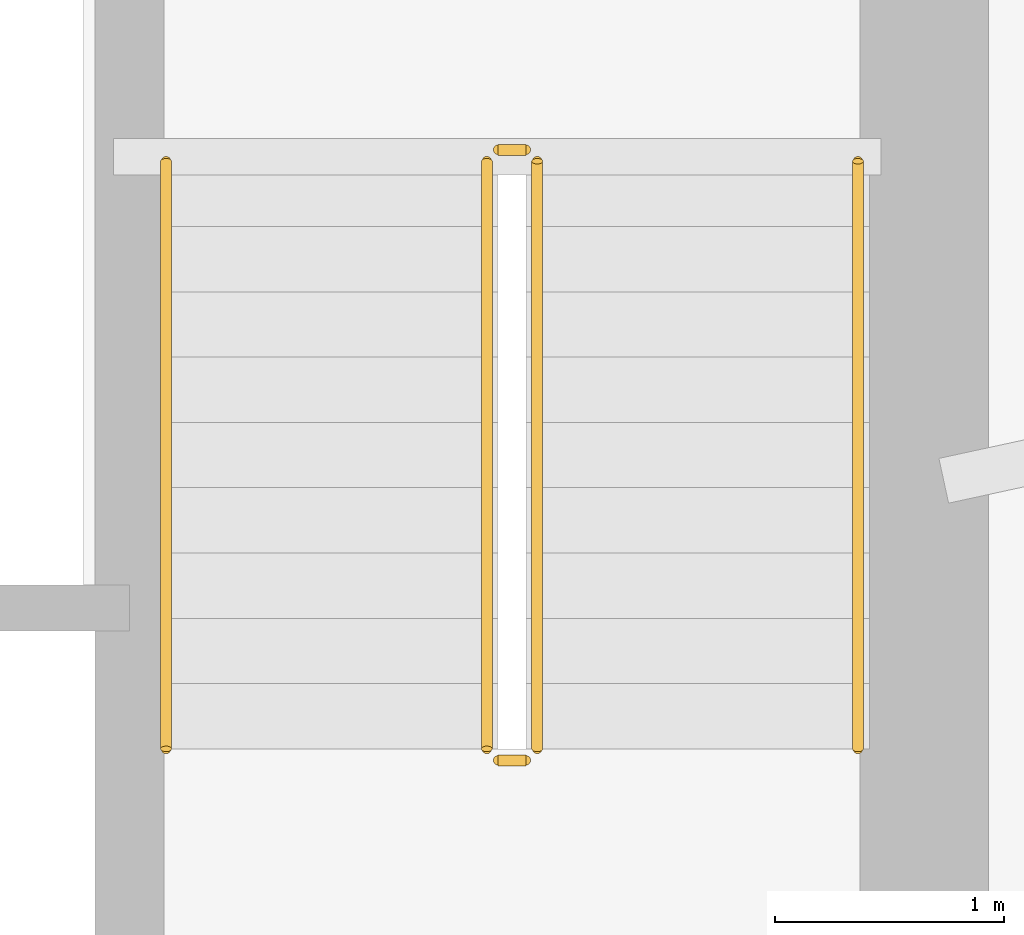
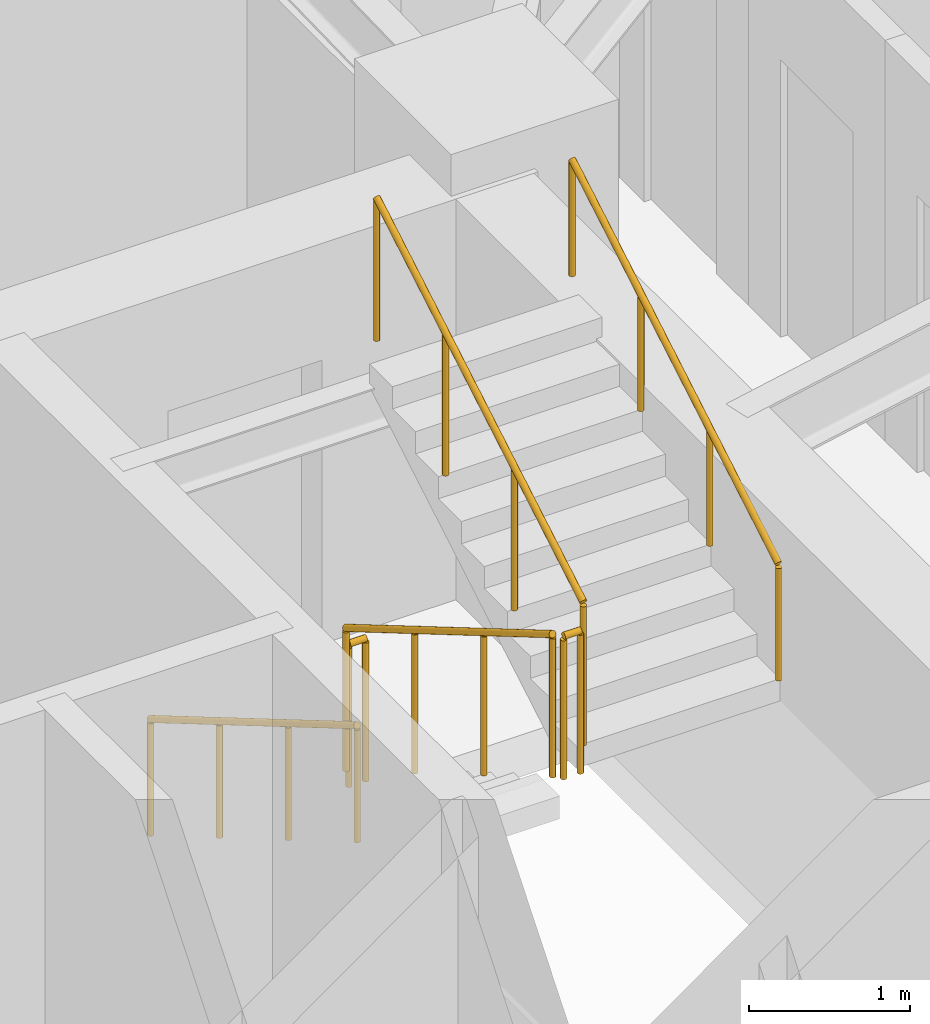
# One storey, part 21 of 22: 6 railings.
"""IFC4 building model written with IfcOpenShell, lengths in metres."""

from ifc_helpers import new_model, si_unit, direction, frame, origin, origin_2d, place, context, subcontext, project, spatial, circle, extrude, material, type_object, element, save


model = new_model("IFC4")

# Units and contexts
model_context = context("Model", 3, precision=1e-05, world=origin(), true_north=direction((0.0, 1.0)))
body_context = subcontext(model_context, "Body", "Model", "MODEL_VIEW")
ifc_project = project(units=[si_unit("LENGTHUNIT", "METRE"), si_unit("AREAUNIT", "SQUARE_METRE"), si_unit("VOLUMEUNIT", "CUBIC_METRE"), si_unit("PLANEANGLEUNIT", "RADIAN"), si_unit("MASSUNIT", "GRAM", prefix="KILO")], contexts=[model_context])

# Site, building, storey
site_placement = place(None, origin())
site = spatial("IfcSite", under=ifc_project, at=site_placement, CompositionType="ELEMENT")
building_placement = place(site_placement, origin())
building = spatial("IfcBuilding", under=site, at=building_placement, Name="Qobustan Lattice House", CompositionType="ELEMENT")
storey_placement = place(building_placement, frame((0.0, 0.0, 60.5)))
storey = spatial("IfcBuildingStorey", under=building, at=storey_placement, Name="L16", CompositionType="ELEMENT", Elevation=60.5)

# Railings
ifc_material_1 = material(Name="Brushed stainless steel handrail", Category="steel")
railing_type_1 = type_object("IfcRailingType", Name="RAL-HR-920", PredefinedType="HANDRAIL", material=ifc_material_1)
railing_1_placement = place(storey_placement, frame((15.179931640625, 3.5, 0.16748046875)))
element("IfcRailing", 1, at=railing_1_placement, inside=storey, type_object=railing_type_1, Name="L16 ST-E1 stair handrail 1", PredefinedType="HANDRAIL", context=body_context, shape_type="SweptSolid", body=[
    extrude(circle(Radius=0.02392578125, at=origin_2d()), frame((0.0, 0.0, 0.8759765625), z_axis=(0.0, -0.862113467892, 0.50671527358), x_axis=(1.0, 0.0, 0.0)), (0.0, 0.0, 1.0), 2.97509765625),
    extrude(circle(Radius=0.02099609375, at=origin_2d()), origin(), (0.0, 0.0, 1.0), 0.851806640625),
    extrude(circle(Radius=0.02099609375, at=origin_2d()), frame((0.0, -0.85498046875, 0.50244140625)), (0.0, 0.0, 1.0), 0.851806640625),
    extrude(circle(Radius=0.02099609375, at=origin_2d()), frame((0.0, -1.7099609375, 1.005126953125)), (0.0, 0.0, 1.0), 0.851806640625),
    extrude(circle(Radius=0.02099609375, at=origin_2d()), frame((0.0, -2.56494140625, 1.507568359375)), (0.0, 0.0, 1.0), 0.851806640625),
])
railing_2_placement = place(storey_placement, frame((18.199951171875, 0.93505859375, 1.842529296875)))
element("IfcRailing", 2, at=railing_2_placement, inside=storey, type_object=railing_type_1, Name="L16 ST-E1 stair handrail 2", PredefinedType="HANDRAIL", context=body_context, shape_type="SweptSolid", body=[
    extrude(circle(Radius=0.02392578125, at=origin_2d()), frame((0.0, 0.0, 0.8759765625), z_axis=(0.0, 0.862113467892, 0.50671527358), x_axis=(-1.0, 0.0, 0.0)), (0.0, 0.0, 1.0), 2.97509765625),
    extrude(circle(Radius=0.02099609375, at=origin_2d()), origin(), (0.0, 0.0, 1.0), 0.851806640625),
    extrude(circle(Radius=0.02099609375, at=origin_2d()), frame((0.0, 0.85498046875, 0.50244140625)), (0.0, 0.0, 1.0), 0.851806640625),
    extrude(circle(Radius=0.02099609375, at=origin_2d()), frame((0.0, 1.7099609375, 1.005126953125)), (0.0, 0.0, 1.0), 0.851806640625),
    extrude(circle(Radius=0.02099609375, at=origin_2d()), frame((0.0, 2.56494140625, 1.507568359375)), (0.0, 0.0, 1.0), 0.851806640625),
])
ifc_material_2 = material(Name="Painted galvanized steel guardrail", Category="steel")
railing_type_2 = type_object("IfcRailingType", Name="RAL-STG-1150", PredefinedType="GUARDRAIL", material=ifc_material_2)
railing_3_placement = place(storey_placement, frame((16.580078125, 3.5, 0.16748046875)))
element("IfcRailing", 3, at=railing_3_placement, inside=storey, type_object=railing_type_2, Name="L16 ST-E1 stair guard 1", PredefinedType="GUARDRAIL", context=body_context, shape_type="SweptSolid", body=[
    extrude(circle(Radius=0.02392578125, at=origin_2d()), frame((0.0, 0.0, 1.076171875), z_axis=(0.0, -0.862113467892, 0.50671527358), x_axis=(1.0, 0.0, 0.0)), (0.0, 0.0, 1.0), 2.97509765625),
    extrude(circle(Radius=0.02099609375, at=origin_2d()), origin(), (0.0, 0.0, 1.0), 1.052001953125),
    extrude(circle(Radius=0.02099609375, at=origin_2d()), frame((0.0, -0.85498046875, 0.50244140625)), (0.0, 0.0, 1.0), 1.052001953125),
    extrude(circle(Radius=0.02099609375, at=origin_2d()), frame((0.0, -1.7099609375, 1.005126953125)), (0.0, 0.0, 1.0), 1.052001953125),
    extrude(circle(Radius=0.02099609375, at=origin_2d()), frame((0.0, -2.56494140625, 1.507568359375)), (0.0, 0.0, 1.0), 1.052001953125),
])
railing_4_placement = place(storey_placement, frame((16.6298828125, 0.885009765625, 1.675048828125)))
element("IfcRailing", 4, at=railing_4_placement, inside=storey, type_object=railing_type_2, Name="L16 ST-E1 stair guard 2", PredefinedType="GUARDRAIL", context=body_context, shape_type="SweptSolid", body=[
    extrude(circle(Radius=0.02392578125, at=origin_2d()), frame((0.0, 0.0, 1.076171875), z_axis=(1.0, 0.0, 0.0), x_axis=(0.0, 1.0, 0.0)), (0.0, 0.0, 1.0), 0.1201171875),
    extrude(circle(Radius=0.02099609375, at=origin_2d()), origin(), (0.0, 0.0, 1.0), 1.052001953125),
    extrude(circle(Radius=0.02099609375, at=origin_2d()), frame((0.1201171875, 0.0, 0.0)), (0.0, 0.0, 1.0), 1.052001953125),
])
railing_5_placement = place(storey_placement, frame((16.800048828125, 0.93505859375, 1.842529296875)))
element("IfcRailing", 5, at=railing_5_placement, inside=storey, type_object=railing_type_2, Name="L16 ST-E1 stair guard 3", PredefinedType="GUARDRAIL", context=body_context, shape_type="SweptSolid", body=[
    extrude(circle(Radius=0.02392578125, at=origin_2d()), frame((0.0, 0.0, 1.076171875), z_axis=(0.0, 0.862113467892, 0.50671527358), x_axis=(-1.0, 0.0, 0.0)), (0.0, 0.0, 1.0), 2.97509765625),
    extrude(circle(Radius=0.02099609375, at=origin_2d()), origin(), (0.0, 0.0, 1.0), 1.052001953125),
    extrude(circle(Radius=0.02099609375, at=origin_2d()), frame((0.0, 0.85498046875, 0.50244140625)), (0.0, 0.0, 1.0), 1.052001953125),
    extrude(circle(Radius=0.02099609375, at=origin_2d()), frame((0.0, 1.7099609375, 1.005126953125)), (0.0, 0.0, 1.0), 1.052001953125),
    extrude(circle(Radius=0.02099609375, at=origin_2d()), frame((0.0, 2.56494140625, 1.507568359375)), (0.0, 0.0, 1.0), 1.052001953125),
])
railing_6_placement = place(storey_placement, frame((16.6298828125, 3.550048828125, 0.0)))
element("IfcRailing", 6, at=railing_6_placement, inside=storey, type_object=railing_type_2, Name="L16 ST-E1 stair guard 4", PredefinedType="GUARDRAIL", context=body_context, shape_type="SweptSolid", body=[
    extrude(circle(Radius=0.02392578125, at=origin_2d()), frame((0.0, 0.0, 1.076171875), z_axis=(1.0, 0.0, 0.0), x_axis=(0.0, 1.0, 0.0)), (0.0, 0.0, 1.0), 0.1201171875),
    extrude(circle(Radius=0.02099609375, at=origin_2d()), origin(), (0.0, 0.0, 1.0), 1.052001953125),
    extrude(circle(Radius=0.02099609375, at=origin_2d()), frame((0.1201171875, 0.0, 0.0)), (0.0, 0.0, 1.0), 1.052001953125),
])

save(model, "model.ifc")
